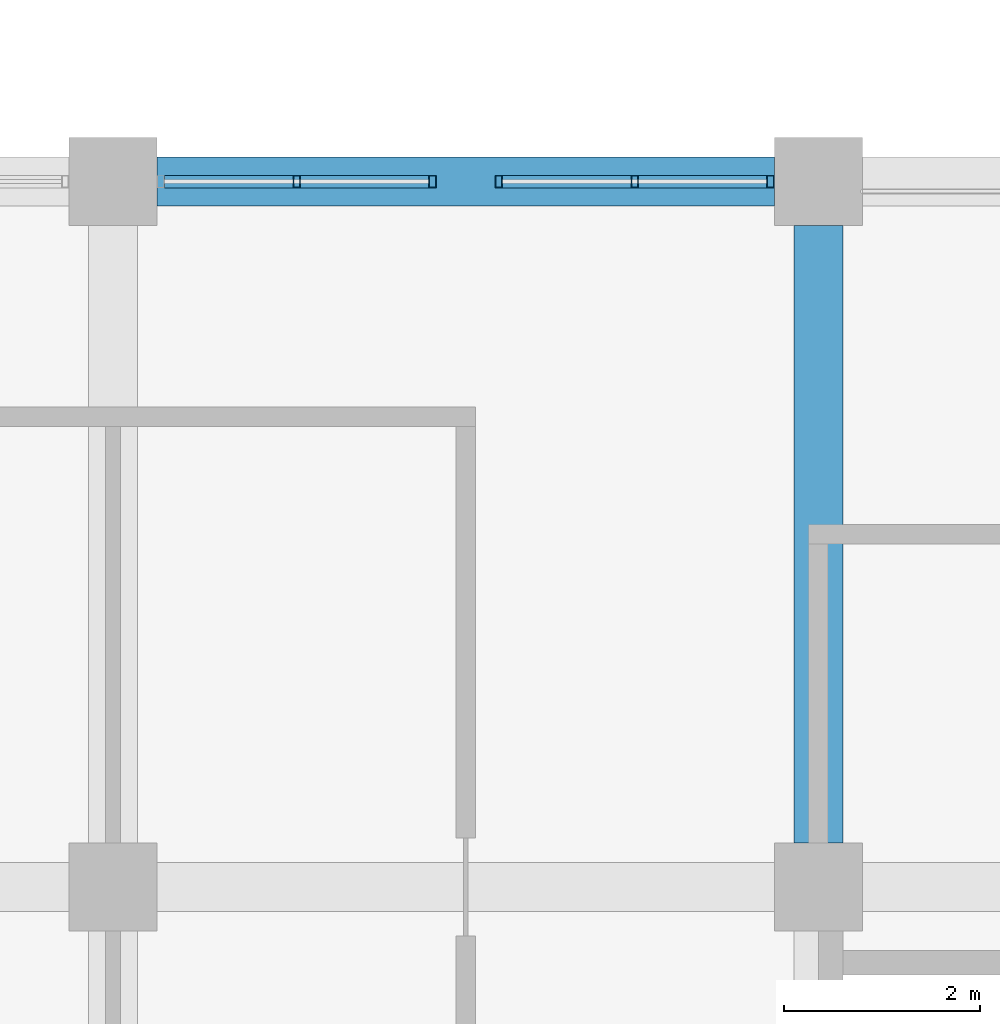
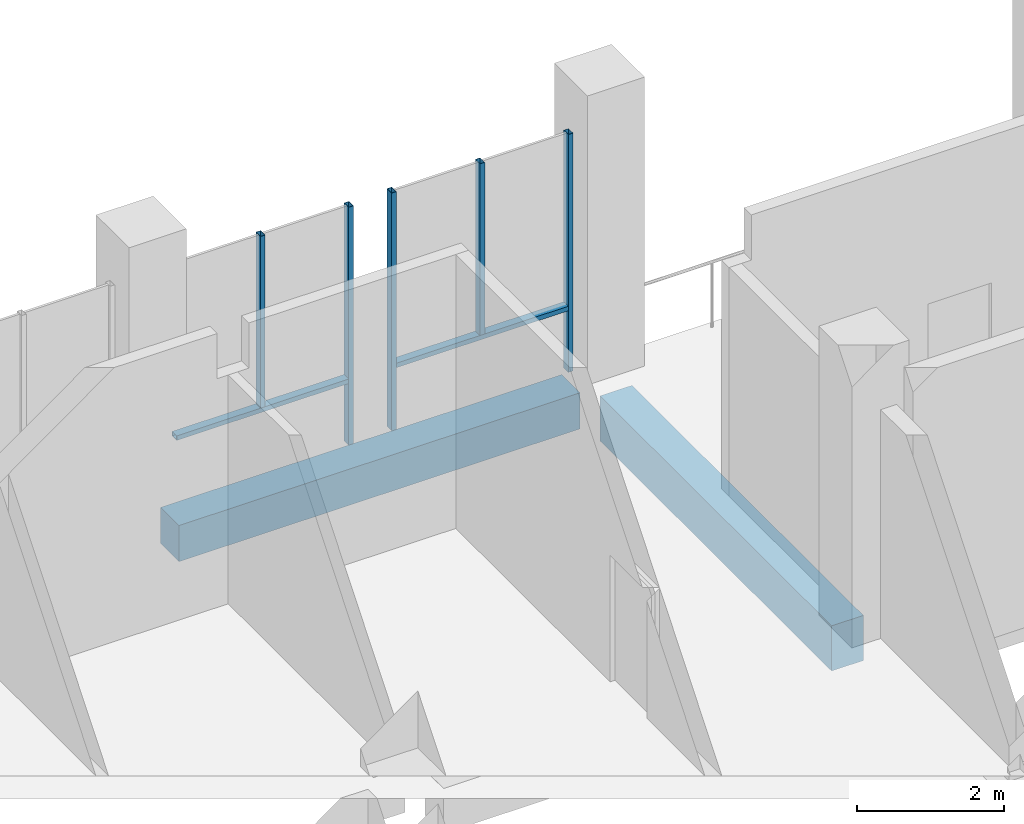
# One storey, part 5 of 39: 7 members, 2 beams, 2 elements without a shape of their own.
"""IFC4 building model written with IfcOpenShell, lengths in metres."""

from ifc_helpers import new_model, si_unit, direction, frame, origin, origin_2d, place, context, subcontext, project, spatial, rectangle, hollow_rectangle, extrude, material, material_profile, profile_set, type_object, element, aggregate, save


model = new_model("IFC4")

# Units and contexts
model_context = context("Model", 3, precision=1e-05, world=origin(), true_north=direction((0.0, 1.0)))
body_context = subcontext(model_context, "Body", "Model", "MODEL_VIEW")
ifc_project = project(units=[si_unit("LENGTHUNIT", "METRE"), si_unit("AREAUNIT", "SQUARE_METRE"), si_unit("VOLUMEUNIT", "CUBIC_METRE"), si_unit("PLANEANGLEUNIT", "RADIAN"), si_unit("MASSUNIT", "GRAM", prefix="KILO")], contexts=[model_context])

# Site, building, storey
site_placement = place(None, origin())
site = spatial("IfcSite", under=ifc_project, at=site_placement, CompositionType="ELEMENT")
building_placement = place(site_placement, origin())
building = spatial("IfcBuilding", under=site, at=building_placement, Name="Silangan Lancet Faculty of Sciences", CompositionType="ELEMENT")
storey_placement = place(building_placement, frame((0.0, 0.0, 26.39990234375)))
storey = spatial("IfcBuildingStorey", under=building, at=storey_placement, Name="L05", CompositionType="ELEMENT", Elevation=26.39990234375)

# Beams
ifc_material_1 = material(Name="Concrete C40/50", Category="concrete")
ifc_material_profile_1 = material_profile(ifc_material_1, rectangle(XDim=0.5, YDim=0.60009765625, at=origin_2d()), Name="RC 500x600")
ifc_profile_set_1 = profile_set([ifc_material_profile_1], Name="Concrete C40/50")
beam_type_1 = type_object("IfcBeamType", Name="BEAM RC 500x600", PredefinedType="BEAM", material=ifc_profile_set_1)
beam_1_placement = place(storey_placement, frame((14.85009765625, 21.60009765625, -0.5498046875), z_axis=(1.0, 0.0, 0.0), x_axis=(0.0, 1.0, 0.0)))
element("IfcBeam", 1, at=beam_1_placement, inside=storey, type_object=beam_type_1, Name="BM-L05-3D-4D", PredefinedType="BEAM", context=body_context, shape_type="SweptSolid", body=[
    extrude(rectangle(XDim=0.5, YDim=0.60009765625, at=origin_2d()), origin(), (0.0, 0.0, 1.0), 6.2998046875),
])
ifc_material_2 = material(Name="Concrete C40/50", Category="concrete")
ifc_material_profile_2 = material_profile(ifc_material_2, rectangle(XDim=0.5, YDim=0.75, at=origin_2d()), Name="RC 500x750")
ifc_profile_set_2 = profile_set([ifc_material_profile_2], Name="Concrete C40/50")
beam_type_2 = type_object("IfcBeamType", Name="BEAM RC 500x750", PredefinedType="BEAM", material=ifc_profile_set_2)
beam_2_placement = place(storey_placement, frame((21.60009765625, 14.85009765625, -0.625), z_axis=(0.0, 1.0, 0.0), x_axis=(-1.0, 0.0, 0.0)))
element("IfcBeam", 2, at=beam_2_placement, inside=storey, type_object=beam_type_2, Name="BM-L05-4C-4D", PredefinedType="BEAM", context=body_context, shape_type="SweptSolid", body=[
    extrude(rectangle(XDim=0.5, YDim=0.75, at=origin_2d()), origin(), (0.0, 0.0, 1.0), 6.2998046875),
])

# Curtain wall, members
ifc_material_3 = material(Name="Aluminium framed curtain wall with insulated glass", Category="aluminium")
curtain_wall_type = type_object("IfcCurtainWallType", Name="CW2 Atrium fire-resisting screen", PredefinedType="NOTDEFINED", material=ifc_material_3)
curtain_wall_1_placement = place(storey_placement, origin())
curtain_wall_1 = element("IfcCurtainWall", 3, at=curtain_wall_1_placement, inside=storey, type_object=curtain_wall_type, Name="CW2 Atrium south L05 bay 1", PredefinedType="NOTDEFINED")
ifc_material_4 = material(Name="Steel S355J2H", Category="steel")
ifc_material_profile_3 = material_profile(ifc_material_4, hollow_rectangle(XDim=0.074951171875, YDim=0.125, WallThickness=0.0048828125, at=origin_2d()), Name="ST BOX 75x125x5")
ifc_profile_set_3 = profile_set([ifc_material_profile_3], Name="Steel S355J2H")
member_type_1 = type_object("IfcMemberType", Name="CM2 Mullion 75x125", PredefinedType="MULLION", material=ifc_profile_set_3)
member_1_placement = place(storey_placement, frame((21.112548828125, 21.60009765625, 0.0), z_axis=(0.0, 0.0, 1.0), x_axis=(-1.0, 0.0, 0.0)))
member_1 = element("IfcMember", 4, at=member_1_placement, type_object=member_type_1, Name="CW2 Atrium south L05 bay 1 mullion 1", PredefinedType="MULLION", context=body_context, shape_type="SweptSolid", body=[
    extrude(hollow_rectangle(XDim=0.074951171875, YDim=0.125, WallThickness=0.0048828125, at=origin_2d()), origin(), (0.0, 0.0, 1.0), 3.9501953125),
])
member_2_placement = place(storey_placement, frame((18.33740234375, 21.60009765625, 0.0), z_axis=(0.0, 0.0, 1.0), x_axis=(-1.0, 0.0, 0.0)))
member_2 = element("IfcMember", 5, at=member_2_placement, type_object=member_type_1, Name="CW2 Atrium south L05 bay 1 mullion 2", PredefinedType="MULLION", context=body_context, shape_type="SweptSolid", body=[
    extrude(hollow_rectangle(XDim=0.074951171875, YDim=0.125, WallThickness=0.0048828125, at=origin_2d()), origin(), (0.0, 0.0, 1.0), 3.9501953125),
])
member_3_placement = place(storey_placement, frame((19.72509765625, 21.60009765625, 1.10009765625), z_axis=(0.0, 0.0, 1.0), x_axis=(-1.0, 0.0, 0.0)))
member_3 = element("IfcMember", 6, at=member_3_placement, type_object=member_type_1, Name="CW2 Atrium south L05 bay 1 mullion 3", PredefinedType="MULLION", context=body_context, shape_type="SweptSolid", body=[
    extrude(hollow_rectangle(XDim=0.074951171875, YDim=0.125, WallThickness=0.0048828125, at=origin_2d()), origin(), (0.0, 0.0, 1.0), 2.85009765625),
])

curtain_wall_2_placement = place(storey_placement, origin())
curtain_wall_2 = element("IfcCurtainWall", 7, at=curtain_wall_2_placement, inside=storey, type_object=curtain_wall_type, Name="CW2 Atrium south L05 bay 2", PredefinedType="NOTDEFINED")
member_4_placement = place(storey_placement, frame((17.66259765625, 21.60009765625, 0.0), z_axis=(0.0, 0.0, 1.0), x_axis=(-1.0, 0.0, 0.0)))
member_4 = element("IfcMember", 8, at=member_4_placement, type_object=member_type_1, Name="CW2 Atrium south L05 bay 2 mullion 1", PredefinedType="MULLION", context=body_context, shape_type="SweptSolid", body=[
    extrude(hollow_rectangle(XDim=0.074951171875, YDim=0.125, WallThickness=0.0048828125, at=origin_2d()), origin(), (0.0, 0.0, 1.0), 3.9501953125),
])
member_5_placement = place(storey_placement, frame((16.27490234375, 21.60009765625, 1.10009765625), z_axis=(0.0, 0.0, 1.0), x_axis=(-1.0, 0.0, 0.0)))
member_5 = element("IfcMember", 9, at=member_5_placement, type_object=member_type_1, Name="CW2 Atrium south L05 bay 2 mullion 3", PredefinedType="MULLION", context=body_context, shape_type="SweptSolid", body=[
    extrude(hollow_rectangle(XDim=0.074951171875, YDim=0.125, WallThickness=0.0048828125, at=origin_2d()), origin(), (0.0, 0.0, 1.0), 2.85009765625),
])

# Member
ifc_material_5 = material(Name="Steel S355J2H", Category="steel")
ifc_material_profile_4 = material_profile(ifc_material_5, hollow_rectangle(XDim=0.125, YDim=0.074951171875, WallThickness=0.0048828125, at=origin_2d()), Name="ST BOX 125x75x5")
ifc_profile_set_4 = profile_set([ifc_material_profile_4], Name="Steel S355J2H")
member_type_2 = type_object("IfcMemberType", Name="CT2 Transom 125x75", PredefinedType="USERDEFINED", material=ifc_profile_set_4)
member_6_placement = place(storey_placement, frame((21.074951171875, 21.60009765625, 1.0625), z_axis=(-1.0, 0.0, 0.0), x_axis=(0.0, -1.0, 0.0)))
member_6 = element("IfcMember", 10, at=member_6_placement, type_object=member_type_2, Name="CW2 Atrium south L05 bay 1 transom 1", ObjectType="TRANSOM", PredefinedType="USERDEFINED", context=body_context, shape_type="SweptSolid", body=[
    extrude(hollow_rectangle(XDim=0.125, YDim=0.074951171875, WallThickness=0.0048828125, at=origin_2d()), origin(), (0.0, 0.0, 1.0), 2.699951171875),
])

aggregate(curtain_wall_1, [member_1, member_2, member_3, member_6])

member_7_placement = place(storey_placement, frame((17.625, 21.60009765625, 1.0625), z_axis=(-1.0, 0.0, 0.0), x_axis=(0.0, -1.0, 0.0)))
member_7 = element("IfcMember", 11, at=member_7_placement, type_object=member_type_2, Name="CW2 Atrium south L05 bay 2 transom 1", ObjectType="TRANSOM", PredefinedType="USERDEFINED", context=body_context, shape_type="SweptSolid", body=[
    extrude(hollow_rectangle(XDim=0.125, YDim=0.074951171875, WallThickness=0.0048828125, at=origin_2d()), origin(), (0.0, 0.0, 1.0), 2.699951171875),
])

aggregate(curtain_wall_2, [member_4, member_5, member_7])

save(model, "model.ifc")
